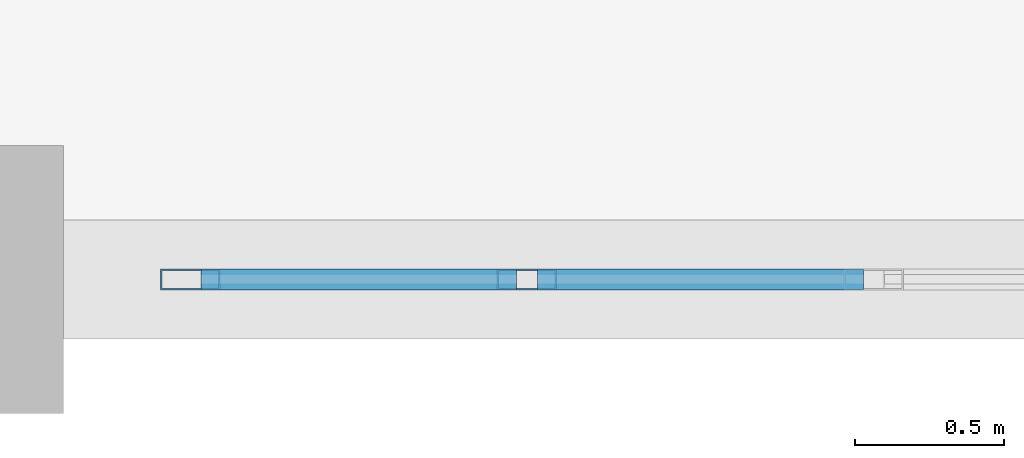
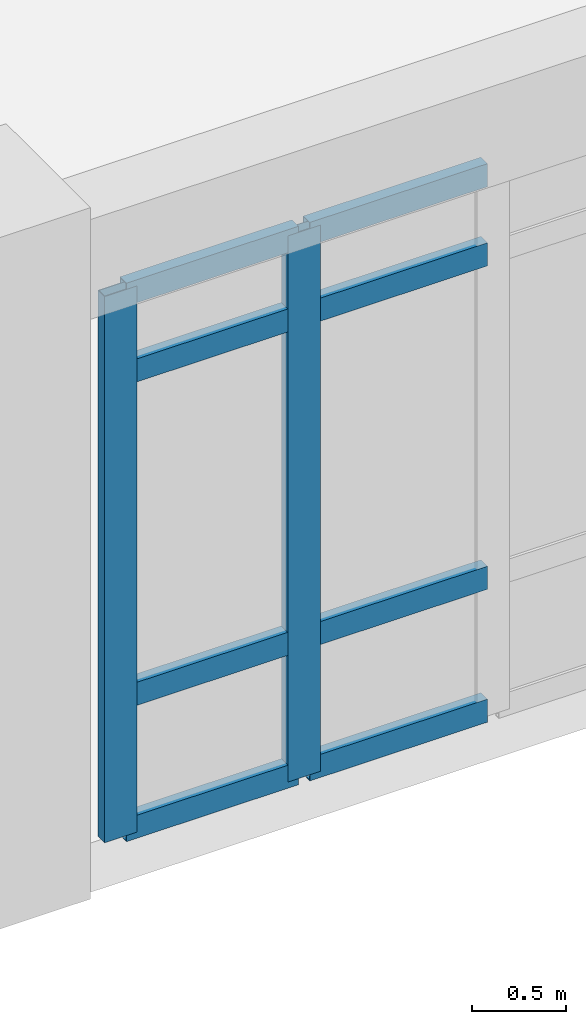
# One storey, part 12 of 106: 10 members, 1 element without a shape of its own.
"""IFC4 building model written with IfcOpenShell, lengths in metres."""

from ifc_helpers import new_model, si_unit, direction, frame, origin, origin_2d, place, context, subcontext, project, spatial, hollow_rectangle, extrude, material, layer, layer_set, material_profile, profile_set, type_object, element, aggregate, save


model = new_model("IFC4")

# Units and contexts
model_context = context("Model", 3, precision=1e-05, world=origin(), true_north=direction((0.0, 1.0)))
body_context = subcontext(model_context, "Body", "Model", "MODEL_VIEW")
ifc_project = project(units=[si_unit("LENGTHUNIT", "METRE"), si_unit("AREAUNIT", "SQUARE_METRE"), si_unit("VOLUMEUNIT", "CUBIC_METRE"), si_unit("PLANEANGLEUNIT", "RADIAN"), si_unit("MASSUNIT", "GRAM", prefix="KILO")], contexts=[model_context])

# Site, building, storey
site_placement = place(None, origin())
site = spatial("IfcSite", under=ifc_project, at=site_placement, CompositionType="ELEMENT")
building_placement = place(site_placement, origin())
building = spatial("IfcBuilding", under=site, at=building_placement, Name="Carrowvane Square Congress Hotel", CompositionType="ELEMENT")
storey_placement = place(building_placement, frame((0.0, 0.0, 10.5)))
storey = spatial("IfcBuildingStorey", under=building, at=storey_placement, Name="L02", CompositionType="ELEMENT", Elevation=10.5)

# Curtain wall, members
ifc_material_1 = material(Name="Anodised aluminium", Category="aluminium")
ifc_layer = layer(ifc_material_1, 0.24609375)
ifc_layer_set = layer_set([ifc_layer], Name="Anodised aluminium")
curtain_wall_type = type_object("IfcCurtainWallType", Name="CW-SYS-8", PredefinedType="NOTDEFINED", material=ifc_layer_set)
curtain_wall_placement = place(storey_placement, origin())
curtain_wall = element("IfcCurtainWall", 1, at=curtain_wall_placement, inside=storey, type_object=curtain_wall_type, Name="L02 unitised curtain wall 191", PredefinedType="NOTDEFINED")
ifc_material_2 = material(Name="Anodised aluminium", Category="aluminium")
ifc_material_profile_1 = material_profile(ifc_material_2, hollow_rectangle(XDim=0.070068359375, YDim=0.199951171875, WallThickness=0.0048828125, at=origin_2d()), Name="CW-ML 70x200x5")
ifc_profile_set_1 = profile_set([ifc_material_profile_1], Name="Anodised aluminium")
member_type_1 = type_object("IfcMemberType", Name="CW-MUL-2", PredefinedType="MULLION", material=ifc_profile_set_1)
member_1_placement = place(storey_placement, frame((42.25390625, 5.39990234375, 0.0), z_axis=(0.0, 0.0, 1.0), x_axis=(0.0, -1.0, 0.0)))
member_1 = element("IfcMember", 2, at=member_1_placement, type_object=member_type_1, Name="CW-8 mullion 5", PredefinedType="MULLION", context=body_context, shape_type="SweptSolid", body=[
    extrude(hollow_rectangle(XDim=0.070068359375, YDim=0.199951171875, WallThickness=0.0048828125, at=origin_2d()), origin(), (0.0, 0.0, 1.0), 3.554931640625),
])
member_2_placement = place(storey_placement, frame((41.125, 5.39990234375, 0.0), z_axis=(0.0, 0.0, 1.0), x_axis=(0.0, -1.0, 0.0)))
member_2 = element("IfcMember", 3, at=member_2_placement, type_object=member_type_1, Name="CW-8 mullion 6", PredefinedType="MULLION", context=body_context, shape_type="SweptSolid", body=[
    extrude(hollow_rectangle(XDim=0.070068359375, YDim=0.199951171875, WallThickness=0.0048828125, at=origin_2d()), origin(), (0.0, 0.0, 1.0), 3.554931640625),
])
ifc_material_3 = material(Name="Anodised aluminium", Category="aluminium")
ifc_material_profile_2 = material_profile(ifc_material_3, hollow_rectangle(XDim=0.070068359375, YDim=0.14990234375, WallThickness=0.0048828125, at=origin_2d()), Name="CW-TR 70x150x5")
ifc_profile_set_2 = profile_set([ifc_material_profile_2], Name="Anodised aluminium")
member_type_2 = type_object("IfcMemberType", Name="CW-TRN-2", PredefinedType="USERDEFINED", material=ifc_profile_set_2)
member_3_placement = place(storey_placement, frame((43.383056640625, 5.39990234375, 0.034912109375), z_axis=(-1.0, 0.0, 0.0), x_axis=(0.0, -1.0, 0.0)))
member_3 = element("IfcMember", 4, at=member_3_placement, type_object=member_type_2, Name="CW-8 transom 4.1", ObjectType="TRANSOM", PredefinedType="USERDEFINED", context=body_context, shape_type="SweptSolid", body=[
    extrude(hollow_rectangle(XDim=0.070068359375, YDim=0.14990234375, WallThickness=0.0048828125, at=origin_2d()), origin(), (0.0, 0.0, 1.0), 1.093994140625),
])
member_4_placement = place(storey_placement, frame((43.383056640625, 5.39990234375, 0.89990234375), z_axis=(-1.0, 0.0, 0.0), x_axis=(0.0, -1.0, 0.0)))
member_4 = element("IfcMember", 5, at=member_4_placement, type_object=member_type_2, Name="CW-8 transom 4.2", ObjectType="TRANSOM", PredefinedType="USERDEFINED", context=body_context, shape_type="SweptSolid", body=[
    extrude(hollow_rectangle(XDim=0.070068359375, YDim=0.14990234375, WallThickness=0.0048828125, at=origin_2d()), origin(), (0.0, 0.0, 1.0), 1.093994140625),
])
member_5_placement = place(storey_placement, frame((43.383056640625, 5.39990234375, 3.0048828125), z_axis=(-1.0, 0.0, 0.0), x_axis=(0.0, -1.0, 0.0)))
member_5 = element("IfcMember", 6, at=member_5_placement, type_object=member_type_2, Name="CW-8 transom 4.3", ObjectType="TRANSOM", PredefinedType="USERDEFINED", context=body_context, shape_type="SweptSolid", body=[
    extrude(hollow_rectangle(XDim=0.070068359375, YDim=0.14990234375, WallThickness=0.0048828125, at=origin_2d()), origin(), (0.0, 0.0, 1.0), 1.093994140625),
])
member_6_placement = place(storey_placement, frame((43.383056640625, 5.39990234375, 3.52001953125), z_axis=(-1.0, 0.0, 0.0), x_axis=(0.0, -1.0, 0.0)))
member_6 = element("IfcMember", 7, at=member_6_placement, type_object=member_type_2, Name="CW-8 transom 4.4", ObjectType="TRANSOM", PredefinedType="USERDEFINED", context=body_context, shape_type="SweptSolid", body=[
    extrude(hollow_rectangle(XDim=0.070068359375, YDim=0.14990234375, WallThickness=0.0048828125, at=origin_2d()), origin(), (0.0, 0.0, 1.0), 1.093994140625),
])
member_7_placement = place(storey_placement, frame((42.218994140625, 5.39990234375, 0.034912109375), z_axis=(-1.0, 0.0, 0.0), x_axis=(0.0, -1.0, 0.0)))
member_7 = element("IfcMember", 8, at=member_7_placement, type_object=member_type_2, Name="CW-8 transom 5.1", ObjectType="TRANSOM", PredefinedType="USERDEFINED", context=body_context, shape_type="SweptSolid", body=[
    extrude(hollow_rectangle(XDim=0.070068359375, YDim=0.14990234375, WallThickness=0.0048828125, at=origin_2d()), origin(), (0.0, 0.0, 1.0), 1.05908203125),
])
member_8_placement = place(storey_placement, frame((42.218994140625, 5.39990234375, 0.89990234375), z_axis=(-1.0, 0.0, 0.0), x_axis=(0.0, -1.0, 0.0)))
member_8 = element("IfcMember", 9, at=member_8_placement, type_object=member_type_2, Name="CW-8 transom 5.2", ObjectType="TRANSOM", PredefinedType="USERDEFINED", context=body_context, shape_type="SweptSolid", body=[
    extrude(hollow_rectangle(XDim=0.070068359375, YDim=0.14990234375, WallThickness=0.0048828125, at=origin_2d()), origin(), (0.0, 0.0, 1.0), 1.05908203125),
])
member_9_placement = place(storey_placement, frame((42.218994140625, 5.39990234375, 3.0048828125), z_axis=(-1.0, 0.0, 0.0), x_axis=(0.0, -1.0, 0.0)))
member_9 = element("IfcMember", 10, at=member_9_placement, type_object=member_type_2, Name="CW-8 transom 5.3", ObjectType="TRANSOM", PredefinedType="USERDEFINED", context=body_context, shape_type="SweptSolid", body=[
    extrude(hollow_rectangle(XDim=0.070068359375, YDim=0.14990234375, WallThickness=0.0048828125, at=origin_2d()), origin(), (0.0, 0.0, 1.0), 1.05908203125),
])
member_10_placement = place(storey_placement, frame((42.218994140625, 5.39990234375, 3.52001953125), z_axis=(-1.0, 0.0, 0.0), x_axis=(0.0, -1.0, 0.0)))
member_10 = element("IfcMember", 11, at=member_10_placement, type_object=member_type_2, Name="CW-8 transom 5.4", ObjectType="TRANSOM", PredefinedType="USERDEFINED", context=body_context, shape_type="SweptSolid", body=[
    extrude(hollow_rectangle(XDim=0.070068359375, YDim=0.14990234375, WallThickness=0.0048828125, at=origin_2d()), origin(), (0.0, 0.0, 1.0), 1.05908203125),
])
aggregate(curtain_wall, [member_1, member_2, member_3, member_4, member_5, member_6, member_7, member_8, member_9, member_10])

save(model, "model.ifc")
